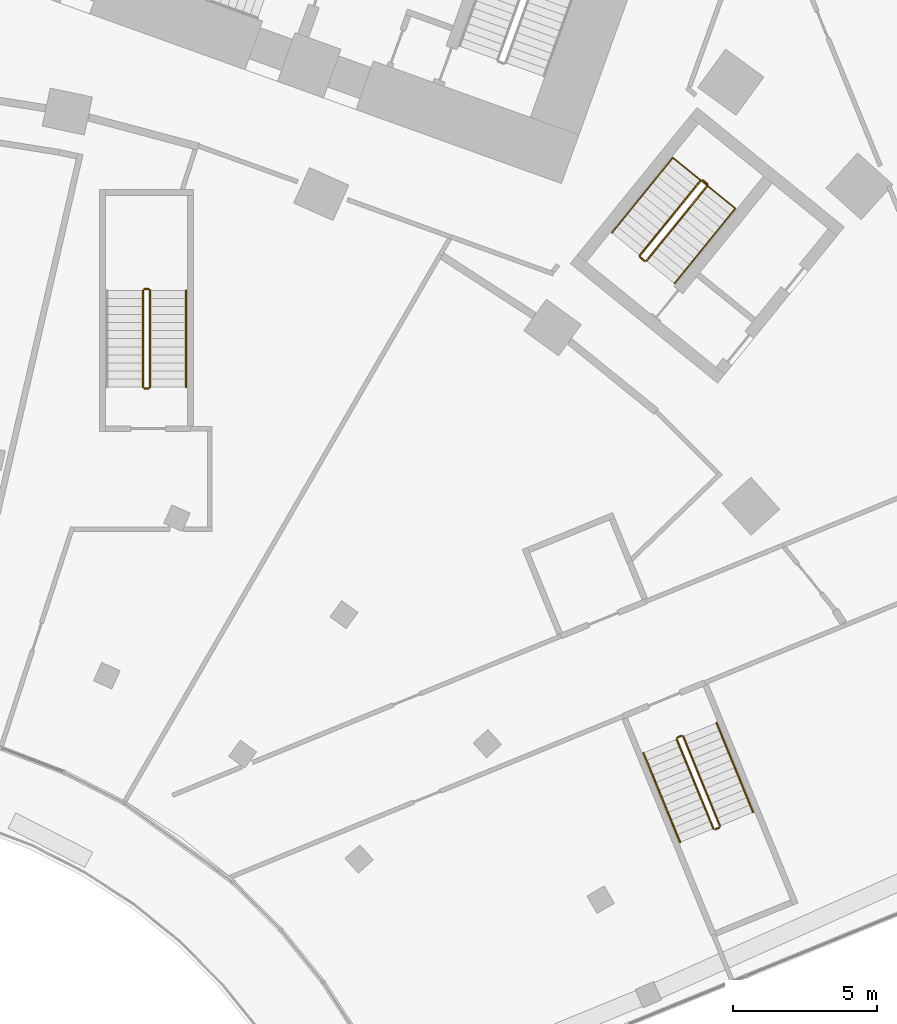
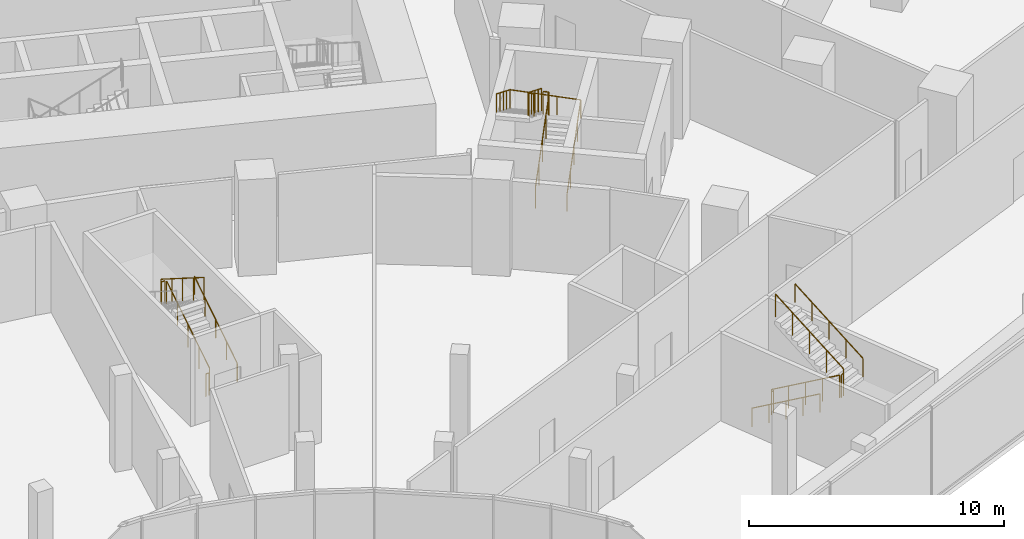
# One storey, part 37 of 40: 14 railings.
"""IFC4 building model written with IfcOpenShell, lengths in metres."""

import ifcopenshell
import ifcopenshell.guid

model = None  # the IFC model being written
_history = None  # IfcOwnerHistory: only IFC2X3 demands one
_inside = {}  # id of a spatial element -> (the spatial element, [elements in it])
_under = {}  # id of a project, library or spatial element -> (it, [spatial elements below it])
_declared = {}  # id of a project -> (the project, [libraries it declares])
_typed = {}  # id of a type object -> (the type object, [elements of that type])
_made_of = {}  # id of a material, layer set ... -> (it, [elements and type objects made of it])


def new_model(schema):
    """Start an empty IFC model of exactly this schema.

    Asked for "IFC4X3", IfcOpenShell would pick the latest addendum, in which some entities
    have other attributes; the version numbers below select the first issue.
    IFC2X3 requires an IfcOwnerHistory on every rooted entity: one is made here for all.
    """
    global model, _history
    if schema == "IFC4X3":
        model = ifcopenshell.file(schema_version=(4, 3, 0, 0))
    else:
        model = ifcopenshell.file(schema=schema)
    _inside.clear()
    _under.clear()
    _declared.clear()
    _typed.clear()
    _made_of.clear()
    _history = None
    if model.schema == "IFC2X3":
        org = make("IfcOrganization", Name="unknown")
        user = make(
            "IfcPersonAndOrganization",
            ThePerson=make("IfcPerson", FamilyName="unknown"),
            TheOrganization=org,
        )
        app = make(
            "IfcApplication",
            ApplicationDeveloper=org,
            Version="unknown",
            ApplicationFullName="unknown",
            ApplicationIdentifier="unknown",
        )
        _history = make(
            "IfcOwnerHistory",
            OwningUser=user,
            OwningApplication=app,
            ChangeAction="ADDED",
            CreationDate=0,
        )
    return model


def make(cls, **values):
    """One entity of the class cls with the attributes given. An attribute that is None is left unset."""
    return model.create_entity(
        cls, **{name: value for name, value in values.items() if value is not None}
    )


def rooted(cls, **values):
    """An entity with a GlobalId (a new one), such as an element, a storey or a relation."""
    return make(cls, GlobalId=ifcopenshell.guid.new(), OwnerHistory=_history, **values)


def si_unit(unit_type, name, prefix=None):
    """IfcSIUnit, for example si_unit("LENGTHUNIT", "METRE", prefix="MILLI")."""
    return make("IfcSIUnit", UnitType=unit_type, Prefix=prefix, Name=name)


def assignment(units):
    """IfcUnitAssignment: the units of a project."""
    return None if units is None else make("IfcUnitAssignment", Units=units)


def point(xyz):
    """IfcCartesianPoint."""
    return None if xyz is None else make("IfcCartesianPoint", Coordinates=xyz)


def direction(xyz):
    """IfcDirection."""
    return None if xyz is None else make("IfcDirection", DirectionRatios=xyz)


def frame(location, z_axis=None, x_axis=None):
    """IfcAxis2Placement3D, a coordinate frame: its origin and axes. An axis left out is left unset."""
    return make(
        "IfcAxis2Placement3D",
        Location=point(location),
        Axis=direction(z_axis),
        RefDirection=direction(x_axis),
    )


def frame_2d(location, x_axis=None):
    """IfcAxis2Placement2D, a coordinate frame in the plane: its origin and x axis."""
    return make(
        "IfcAxis2Placement2D", Location=point(location), RefDirection=direction(x_axis)
    )


def origin():
    """The frame at (0, 0, 0) with its axes left unset."""
    return frame((0.0, 0.0, 0.0))


def origin_2d():
    """The frame at (0, 0) in the plane with its x axis left unset."""
    return frame_2d((0.0, 0.0))


def place(relative_to, where):
    """IfcLocalPlacement: puts the frame where relative to a parent placement (None: the world)."""
    return make(
        "IfcLocalPlacement", PlacementRelTo=relative_to, RelativePlacement=where
    )


def context(
    kind, dimensions, precision=None, world=None, true_north=None, identifier=None
):
    """IfcGeometricRepresentationContext, for example the 3D "Model" context."""
    return make(
        "IfcGeometricRepresentationContext",
        ContextIdentifier=identifier,
        ContextType=kind,
        CoordinateSpaceDimension=dimensions,
        Precision=precision,
        WorldCoordinateSystem=world,
        TrueNorth=true_north,
    )


def subcontext(parent, identifier, kind, view, scale=None):
    """IfcGeometricRepresentationSubContext, for example "Body" below "Model"."""
    return make(
        "IfcGeometricRepresentationSubContext",
        ContextIdentifier=identifier,
        ContextType=kind,
        ParentContext=parent,
        TargetScale=scale,
        TargetView=view,
    )


def project(units=None, contexts=None):
    """IfcProject with its units and contexts."""
    return rooted(
        "IfcProject",
        Name="project",
        RepresentationContexts=contexts,
        UnitsInContext=assignment(units),
    )


def spatial(cls, under=None, at=None, **own):
    """A site, building, storey or space (cls), placed at a placement, below another one or the project."""
    s = rooted(cls, ObjectPlacement=at, **own)
    if under is not None:
        _under.setdefault(under.id(), (under, []))[1].append(s)
    return s


def profile(cls, at=None, kind="AREA", **sizes):
    """A parametric profile (cls). Its sizes go by their IFC names, for example OverallWidth=200.0."""
    return make(cls, ProfileType=kind, Position=at, **sizes)


def circle(**sizes):
    """IfcCircleProfileDef."""
    return profile("IfcCircleProfileDef", **sizes)


def extrude(swept, where, along, depth):
    """IfcExtrudedAreaSolid: the profile swept, set in the frame where, extruded along a direction by depth."""
    return make(
        "IfcExtrudedAreaSolid",
        SweptArea=swept,
        Position=where,
        ExtrudedDirection=direction(along),
        Depth=depth,
    )


def shape(context_of_items, identifier, shape_type, items):
    """IfcShapeRepresentation: the items that make up one representation, for example the "Body"."""
    return make(
        "IfcShapeRepresentation",
        ContextOfItems=context_of_items,
        RepresentationIdentifier=identifier,
        RepresentationType=shape_type,
        Items=items,
    )


def material(Name=None, Category=None):
    """IfcMaterial."""
    return make("IfcMaterial", Name=Name, Category=Category)


def made_of(thing, what):
    """Note that an element or type object is made of a material, layer set ...; save() writes the relation."""
    if what is not None:
        _made_of.setdefault(what.id(), (what, []))[1].append(thing)
    return thing


def type_object(cls, material=None, **own):
    """A type object (cls), such as IfcWallType, which elements share."""
    return made_of(rooted(cls, **own), material)


def element(
    cls,
    number,
    at=None,
    inside=None,
    cuts=None,
    type_object=None,
    material=None,
    context=None,
    identifier="Body",
    shape_type=None,
    held_by="IfcProductDefinitionShape",
    body=None,
    shapes=None,
    **own,
):
    """One element of the class cls, such as IfcWall. Its Tag is "e" and its number.

    at: its placement. inside: the storey or other place that contains it. cuts: it is an
    opening in that element (IfcRelVoidsElement). A single representation is given by context,
    identifier, shape_type and body (its items); several are given by shapes. held_by: the class
    of the entity that holds the representations. save() writes the other relations.
    """
    e = rooted(cls, Tag="e%d" % number, ObjectPlacement=at, **own)
    if body is not None:
        shapes = [shape(context, identifier, shape_type, body)]
    if shapes is not None:
        e.Representation = make(held_by, Representations=shapes)
    if inside is not None:
        _inside.setdefault(inside.id(), (inside, []))[1].append(e)
    if cuts is not None:
        rooted(
            "IfcRelVoidsElement", RelatingBuildingElement=cuts, RelatedOpeningElement=e
        )
    if type_object is not None:
        _typed.setdefault(type_object.id(), (type_object, []))[1].append(e)
    return made_of(e, material)


def aggregate(whole, parts):
    """IfcRelAggregates: a whole, such as a stair, and the parts it consists of."""
    return rooted("IfcRelAggregates", RelatingObject=whole, RelatedObjects=parts)


def save(model, path):
    """Write the relations noted so far, then the file.

    IfcRelAggregates (storeys below a building ...), IfcRelContainedInSpatialStructure (elements
    in a storey), IfcRelDefinesByType, IfcRelAssociatesMaterial and IfcRelDeclares: one each for
    every whole, place, type object, material and project.
    """
    for whole, parts in _under.values():
        aggregate(whole, parts)
    for where, things in _inside.values():
        rooted(
            "IfcRelContainedInSpatialStructure",
            RelatedElements=things,
            RelatingStructure=where,
        )
    for kind, things in _typed.values():
        rooted("IfcRelDefinesByType", RelatedObjects=things, RelatingType=kind)
    for what, things in _made_of.values():
        rooted("IfcRelAssociatesMaterial", RelatedObjects=things, RelatingMaterial=what)
    for by, libraries in _declared.values():
        rooted("IfcRelDeclares", RelatingContext=by, RelatedDefinitions=libraries)
    model.write(path)


model = new_model("IFC4")

# Units and contexts
model_context = context("Model", 3, precision=1e-05, world=origin(), true_north=direction((0.0, 1.0)))
body_context = subcontext(model_context, "Body", "Model", "MODEL_VIEW")
ifc_project = project(units=[si_unit("LENGTHUNIT", "METRE"), si_unit("AREAUNIT", "SQUARE_METRE"), si_unit("VOLUMEUNIT", "CUBIC_METRE"), si_unit("PLANEANGLEUNIT", "RADIAN"), si_unit("MASSUNIT", "GRAM", prefix="KILO")], contexts=[model_context])

# Site, building, storey
site_placement = place(None, origin())
site = spatial("IfcSite", under=ifc_project, at=site_placement, CompositionType="ELEMENT")
building_placement = place(site_placement, origin())
building = spatial("IfcBuilding", under=site, at=building_placement, Name="Stone Belt Terrace Tower", CompositionType="ELEMENT")
storey_placement = place(building_placement, frame((0.0, 0.0, 11.60009765625)))
storey = spatial("IfcBuildingStorey", under=building, at=storey_placement, Name="L02", CompositionType="ELEMENT", Elevation=11.60009765625)

# Railings
ifc_material_1 = material(Name="Steel balustrade", Category="steel")
railing_type_1 = type_object("IfcRailingType", Name="Podium stair guard", PredefinedType="GUARDRAIL", material=ifc_material_1)
railing_1_placement = place(storey_placement, frame((30.445556640625, 21.63232421875, 0.1767578125)))
element("IfcRailing", 1, at=railing_1_placement, inside=storey, type_object=railing_type_1, Name="L02 PS3 stair guard 1", PredefinedType="GUARDRAIL", context=body_context, shape_type="SweptSolid", body=[
    extrude(circle(Radius=0.02392578125, at=origin_2d()), frame((0.0, 0.0, 1.076171875), z_axis=(0.320577273413, -0.782247859152, 0.534152130599), x_axis=(0.92531182595, 0.379207100089, 0.0)), (0.0, 0.0, 1.0), 3.974609375),
    extrude(circle(Radius=0.02099609375, at=origin_2d()), origin(), (0.0, 0.0, 1.0), 1.052001953125),
    extrude(circle(Radius=0.02099609375, at=origin_2d()), frame((0.318603515625, -0.77734375, 0.53076171875)), (0.0, 0.0, 1.0), 1.052001953125),
    extrude(circle(Radius=0.02099609375, at=origin_2d()), frame((0.63720703125, -1.5546875, 1.0615234375)), (0.0, 0.0, 1.0), 1.052001953125),
    extrude(circle(Radius=0.02099609375, at=origin_2d()), frame((0.95556640625, -2.331787109375, 1.59228515625)), (0.0, 0.0, 1.0), 1.052001953125),
    extrude(circle(Radius=0.02099609375, at=origin_2d()), frame((1.274169921875, -3.109130859375, 2.123046875)), (0.0, 0.0, 1.0), 1.052001953125),
])
railing_2_placement = place(storey_placement, frame((31.784912109375, 18.495849609375, 2.2998046875)))
element("IfcRailing", 2, at=railing_2_placement, inside=storey, type_object=railing_type_1, Name="L02 PS3 stair guard 2", PredefinedType="GUARDRAIL", context=body_context, shape_type="SweptSolid", body=[
    extrude(circle(Radius=0.02392578125, at=origin_2d()), frame((0.0, 0.0, 1.076171875), z_axis=(0.925417366351, 0.378949466362, 0.0), x_axis=(-0.378949466362, 0.925417366351, 0.0)), (0.0, 0.0, 1.0), 0.150146484375),
    extrude(circle(Radius=0.02099609375, at=origin_2d()), origin(), (0.0, 0.0, 1.0), 1.052001953125),
    extrude(circle(Radius=0.02099609375, at=origin_2d()), frame((0.138916015625, 0.056884765625, 0.0)), (0.0, 0.0, 1.0), 1.052001953125),
])
railing_3_placement = place(storey_placement, frame((31.951171875, 18.6181640625, 2.476806640625)))
element("IfcRailing", 3, at=railing_3_placement, inside=storey, type_object=railing_type_1, Name="L02 PS3 stair guard 3", PredefinedType="GUARDRAIL", context=body_context, shape_type="SweptSolid", body=[
    extrude(circle(Radius=0.02392578125, at=origin_2d()), frame((0.0, 0.0, 1.076171875), z_axis=(-0.320647790343, 0.782208613453, 0.534167276785), x_axis=(-0.925275877227, -0.379294807533, 0.0)), (0.0, 0.0, 1.0), 3.974609375),
    extrude(circle(Radius=0.02099609375, at=origin_2d()), origin(), (0.0, 0.0, 1.0), 1.052001953125),
    extrude(circle(Radius=0.02099609375, at=origin_2d()), frame((-0.318603515625, 0.77734375, 0.53076171875)), (0.0, 0.0, 1.0), 1.052001953125),
    extrude(circle(Radius=0.02099609375, at=origin_2d()), frame((-0.63720703125, 1.554443359375, 1.0615234375)), (0.0, 0.0, 1.0), 1.052001953125),
    extrude(circle(Radius=0.02099609375, at=origin_2d()), frame((-0.955810546875, 2.33154296875, 1.59228515625)), (0.0, 0.0, 1.0), 1.052001953125),
    extrude(circle(Radius=0.02099609375, at=origin_2d()), frame((-1.2744140625, 3.10888671875, 2.123046875)), (0.0, 0.0, 1.0), 1.052001953125),
])
railing_4_placement = place(storey_placement, frame((30.472900390625, 21.697509765625, 0.0)))
element("IfcRailing", 4, at=railing_4_placement, inside=storey, type_object=railing_type_1, Name="L02 PS3 stair guard 4", PredefinedType="GUARDRAIL", context=body_context, shape_type="SweptSolid", body=[
    extrude(circle(Radius=0.02392578125, at=origin_2d()), frame((0.0, 0.0, 1.076171875), z_axis=(0.925183283695, 0.379520607572, 0.0), x_axis=(-0.379520607572, 0.925183283695, 0.0)), (0.0, 0.0, 1.0), 0.14990234375),
    extrude(circle(Radius=0.02099609375, at=origin_2d()), origin(), (0.0, 0.0, 1.0), 1.052001953125),
    extrude(circle(Radius=0.02099609375, at=origin_2d()), frame((0.138671875, 0.056884765625, 0.0)), (0.0, 0.0, 1.0), 1.052001953125),
])
railing_5_placement = place(storey_placement, frame((12.125, 33.889892578125, 0.1767578125)))
element("IfcRailing", 5, at=railing_5_placement, inside=storey, type_object=railing_type_1, Name="L02 PS6 stair guard 1", PredefinedType="GUARDRAIL", context=body_context, shape_type="SweptSolid", body=[
    extrude(circle(Radius=0.02392578125, at=origin_2d()), frame((0.0, 0.0, 1.076171875), z_axis=(0.0, 0.845389635667, 0.534150132366), x_axis=(-1.0, 0.0, 0.0)), (0.0, 0.0, 1.0), 3.974609375),
    extrude(circle(Radius=0.02099609375, at=origin_2d()), origin(), (0.0, 0.0, 1.0), 1.052001953125),
    extrude(circle(Radius=0.02099609375, at=origin_2d()), frame((0.0, 0.840087890625, 0.53076171875)), (0.0, 0.0, 1.0), 1.052001953125),
    extrude(circle(Radius=0.02099609375, at=origin_2d()), frame((0.0, 1.68017578125, 1.0615234375)), (0.0, 0.0, 1.0), 1.052001953125),
    extrude(circle(Radius=0.02099609375, at=origin_2d()), frame((0.0, 2.52001953125, 1.59228515625)), (0.0, 0.0, 1.0), 1.052001953125),
    extrude(circle(Radius=0.02099609375, at=origin_2d()), frame((0.0, 3.360107421875, 2.123046875)), (0.0, 0.0, 1.0), 1.052001953125),
])
railing_6_placement = place(storey_placement, frame((12.074951171875, 37.300048828125, 2.2998046875)))
element("IfcRailing", 6, at=railing_6_placement, inside=storey, type_object=railing_type_1, Name="L02 PS6 stair guard 2", PredefinedType="GUARDRAIL", context=body_context, shape_type="SweptSolid", body=[
    extrude(circle(Radius=0.02392578125, at=origin_2d()), frame((0.0, 0.0, 1.076171875), z_axis=(-1.0, 0.0, 0.0), x_axis=(0.0, -1.0, 0.0)), (0.0, 0.0, 1.0), 0.14990234375),
    extrude(circle(Radius=0.02099609375, at=origin_2d()), origin(), (0.0, 0.0, 1.0), 1.052001953125),
    extrude(circle(Radius=0.02099609375, at=origin_2d()), frame((-0.14990234375, 0.0, 0.0)), (0.0, 0.0, 1.0), 1.052001953125),
])
railing_7_placement = place(storey_placement, frame((11.875, 37.25, 2.476806640625)))
element("IfcRailing", 7, at=railing_7_placement, inside=storey, type_object=railing_type_1, Name="L02 PS6 stair guard 3", PredefinedType="GUARDRAIL", context=body_context, shape_type="SweptSolid", body=[
    extrude(circle(Radius=0.02392578125, at=origin_2d()), frame((0.0, 0.0, 1.076171875), z_axis=(0.0, -0.845389635667, 0.534150132366), x_axis=(1.0, 0.0, 0.0)), (0.0, 0.0, 1.0), 3.974609375),
    extrude(circle(Radius=0.02099609375, at=origin_2d()), origin(), (0.0, 0.0, 1.0), 1.052001953125),
    extrude(circle(Radius=0.02099609375, at=origin_2d()), frame((0.0, -0.840087890625, 0.53076171875)), (0.0, 0.0, 1.0), 1.052001953125),
    extrude(circle(Radius=0.02099609375, at=origin_2d()), frame((0.0, -1.68017578125, 1.0615234375)), (0.0, 0.0, 1.0), 1.052001953125),
    extrude(circle(Radius=0.02099609375, at=origin_2d()), frame((0.0, -2.52001953125, 1.59228515625)), (0.0, 0.0, 1.0), 1.052001953125),
    extrude(circle(Radius=0.02099609375, at=origin_2d()), frame((0.0, -3.360107421875, 2.123046875)), (0.0, 0.0, 1.0), 1.052001953125),
])
railing_8_placement = place(storey_placement, frame((12.074951171875, 33.840087890625, 0.0)))
element("IfcRailing", 8, at=railing_8_placement, inside=storey, type_object=railing_type_1, Name="L02 PS6 stair guard 4", PredefinedType="GUARDRAIL", context=body_context, shape_type="SweptSolid", body=[
    extrude(circle(Radius=0.02392578125, at=origin_2d()), frame((0.0, 0.0, 1.076171875), z_axis=(-1.0, 0.0, 0.0), x_axis=(0.0, -1.0, 0.0)), (0.0, 0.0, 1.0), 0.14990234375),
    extrude(circle(Radius=0.02099609375, at=origin_2d()), origin(), (0.0, 0.0, 1.0), 1.052001953125),
    extrude(circle(Radius=0.02099609375, at=origin_2d()), frame((-0.14990234375, 0.0, 0.0)), (0.0, 0.0, 1.0), 1.052001953125),
])
ifc_material_2 = material(Name="Stainless steel handrail", Category="steel")
railing_type_2 = type_object("IfcRailingType", Name="Podium stair handrail", PredefinedType="HANDRAIL", material=ifc_material_2)
railing_9_placement = place(storey_placement, frame((29.288818359375, 21.158203125, 0.1767578125)))
element("IfcRailing", 9, at=railing_9_placement, inside=storey, type_object=railing_type_2, Name="L02 PS3 stair handrail 1", PredefinedType="HANDRAIL", context=body_context, shape_type="SweptSolid", body=[
    extrude(circle(Radius=0.02392578125, at=origin_2d()), frame((0.0, 0.0, 0.8759765625), z_axis=(0.320632384185, -0.78223245452, 0.534141611661), x_axis=(0.925286329636, 0.379269308261, 0.0)), (0.0, 0.0, 1.0), 3.974609375),
    extrude(circle(Radius=0.02099609375, at=origin_2d()), origin(), (0.0, 0.0, 1.0), 0.851806640625),
    extrude(circle(Radius=0.02099609375, at=origin_2d()), frame((0.318603515625, -0.77734375, 0.53076171875)), (0.0, 0.0, 1.0), 0.851806640625),
    extrude(circle(Radius=0.02099609375, at=origin_2d()), frame((0.63720703125, -1.5546875, 1.0615234375)), (0.0, 0.0, 1.0), 0.851806640625),
    extrude(circle(Radius=0.02099609375, at=origin_2d()), frame((0.955810546875, -2.331787109375, 1.59228515625)), (0.0, 0.0, 1.0), 0.851806640625),
    extrude(circle(Radius=0.02099609375, at=origin_2d()), frame((1.2744140625, -3.109130859375, 2.123046875)), (0.0, 0.0, 1.0), 0.851806640625),
])
railing_10_placement = place(storey_placement, frame((33.107666015625, 19.092041015625, 2.476806640625)))
element("IfcRailing", 10, at=railing_10_placement, inside=storey, type_object=railing_type_2, Name="L02 PS3 stair handrail 2", PredefinedType="HANDRAIL", context=body_context, shape_type="SweptSolid", body=[
    extrude(circle(Radius=0.02392578125, at=origin_2d()), frame((0.0, 0.0, 0.8759765625), z_axis=(-0.320577273413, 0.782247859152, 0.534152130599), x_axis=(-0.92531182595, -0.379207100089, 0.0)), (0.0, 0.0, 1.0), 3.974609375),
    extrude(circle(Radius=0.02099609375, at=origin_2d()), origin(), (0.0, 0.0, 1.0), 0.851806640625),
    extrude(circle(Radius=0.02099609375, at=origin_2d()), frame((-0.318603515625, 0.77734375, 0.53076171875)), (0.0, 0.0, 1.0), 0.851806640625),
    extrude(circle(Radius=0.02099609375, at=origin_2d()), frame((-0.63720703125, 1.5546875, 1.0615234375)), (0.0, 0.0, 1.0), 0.851806640625),
    extrude(circle(Radius=0.02099609375, at=origin_2d()), frame((-0.95556640625, 2.331787109375, 1.59228515625)), (0.0, 0.0, 1.0), 0.851806640625),
    extrude(circle(Radius=0.02099609375, at=origin_2d()), frame((-1.274169921875, 3.109130859375, 2.123046875)), (0.0, 0.0, 1.0), 0.851806640625),
])
railing_11_placement = place(storey_placement, frame((13.375, 33.889892578125, 0.1767578125)))
element("IfcRailing", 11, at=railing_11_placement, inside=storey, type_object=railing_type_2, Name="L02 PS6 stair handrail 1", PredefinedType="HANDRAIL", context=body_context, shape_type="SweptSolid", body=[
    extrude(circle(Radius=0.02392578125, at=origin_2d()), frame((0.0, 0.0, 0.8759765625), z_axis=(0.0, 0.845389635667, 0.534150132366), x_axis=(-1.0, 0.0, 0.0)), (0.0, 0.0, 1.0), 3.974609375),
    extrude(circle(Radius=0.02099609375, at=origin_2d()), origin(), (0.0, 0.0, 1.0), 0.851806640625),
    extrude(circle(Radius=0.02099609375, at=origin_2d()), frame((0.0, 0.840087890625, 0.53076171875)), (0.0, 0.0, 1.0), 0.851806640625),
    extrude(circle(Radius=0.02099609375, at=origin_2d()), frame((0.0, 1.68017578125, 1.0615234375)), (0.0, 0.0, 1.0), 0.851806640625),
    extrude(circle(Radius=0.02099609375, at=origin_2d()), frame((0.0, 2.52001953125, 1.59228515625)), (0.0, 0.0, 1.0), 0.851806640625),
    extrude(circle(Radius=0.02099609375, at=origin_2d()), frame((0.0, 3.360107421875, 2.123046875)), (0.0, 0.0, 1.0), 0.851806640625),
])
ifc_material_3 = material(Name="Structural steel C345", Category="steel")
railing_type_3 = type_object("IfcRailingType", Name="Stair guard 1100", PredefinedType="GUARDRAIL", material=ifc_material_3)
railing_12_placement = place(storey_placement, frame((29.39794921875, 38.281982421875, 0.1767578125)))
element("IfcRailing", 12, at=railing_12_placement, inside=storey, type_object=railing_type_3, Name="L02 ST3B stair guard 1", PredefinedType="GUARDRAIL", context=body_context, shape_type="SweptSolid", body=[
    extrude(circle(Radius=0.02392578125, at=origin_2d()), frame((0.0, 0.0, 1.076171875), z_axis=(0.532811519988, 0.656339761479, 0.534162898065), x_axis=(-0.776382860746, 0.63026157549, 0.0)), (0.0, 0.0, 1.0), 3.974609375),
    extrude(circle(Radius=0.02392578125, at=origin_2d()), frame((2.11767578125, 2.608642578125, 3.19921875), z_axis=(-0.103606084259, 0.994618408891, 0.0), x_axis=(-0.994618408891, -0.103606084259, 0.0)), (0.0, 0.0, 1.0), 0.07080078125),
    extrude(circle(Radius=0.02392578125, at=origin_2d()), frame((2.1103515625, 2.678955078125, 3.19921875), z_axis=(-0.775964699182, 0.630776335656, 0.0), x_axis=(-0.630776335656, -0.775964699182, 0.0)), (0.0, 0.0, 1.0), 0.2001953125),
    extrude(circle(Radius=0.02099609375, at=origin_2d()), origin(), (0.0, 0.0, 1.0), 1.052001953125),
    extrude(circle(Radius=0.02099609375, at=origin_2d()), frame((0.529296875, 0.652099609375, 0.53076171875)), (0.0, 0.0, 1.0), 1.052001953125),
    extrude(circle(Radius=0.02099609375, at=origin_2d()), frame((1.058837890625, 1.30419921875, 1.0615234375)), (0.0, 0.0, 1.0), 1.052001953125),
    extrude(circle(Radius=0.02099609375, at=origin_2d()), frame((1.58837890625, 1.95654296875, 1.59228515625)), (0.0, 0.0, 1.0), 1.052001953125),
    extrude(circle(Radius=0.02099609375, at=origin_2d()), frame((2.11767578125, 2.608642578125, 2.123046875)), (0.0, 0.0, 1.0), 1.052001953125),
    extrude(circle(Radius=0.02099609375, at=origin_2d()), frame((2.1103515625, 2.678955078125, 2.123046875)), (0.0, 0.0, 1.0), 1.052001953125),
    extrude(circle(Radius=0.02099609375, at=origin_2d()), frame((1.955078125, 2.80517578125, 2.123046875)), (0.0, 0.0, 1.0), 1.052001953125),
])
railing_13_placement = place(storey_placement, frame((31.28271484375, 41.079833984375, 2.476806640625)))
element("IfcRailing", 13, at=railing_13_placement, inside=storey, type_object=railing_type_3, Name="L02 ST3B stair guard 2", PredefinedType="GUARDRAIL", context=body_context, shape_type="SweptSolid", body=[
    extrude(circle(Radius=0.02392578125, at=origin_2d()), frame((0.0, 0.0, 1.076171875), z_axis=(-0.532790039182, -0.656374724314, 0.534141362777), x_axis=(0.776411721411, -0.63022602204, 0.0)), (0.0, 0.0, 1.0), 3.974609375),
    extrude(circle(Radius=0.02392578125, at=origin_2d()), frame((-2.11767578125, -2.60888671875, 3.19921875), z_axis=(0.103606084259, -0.994618408891, 0.0), x_axis=(0.994618408891, 0.103606084259, 0.0)), (0.0, 0.0, 1.0), 0.07080078125),
    extrude(circle(Radius=0.02392578125, at=origin_2d()), frame((-2.1103515625, -2.67919921875, 3.19921875), z_axis=(0.776561986372, -0.630040856868, 0.0), x_axis=(0.630040856868, 0.776561986372, 0.0)), (0.0, 0.0, 1.0), 0.199951171875),
    extrude(circle(Radius=0.02099609375, at=origin_2d()), origin(), (0.0, 0.0, 1.0), 1.052001953125),
    extrude(circle(Radius=0.02099609375, at=origin_2d()), frame((-0.529296875, -0.65234375, 0.53076171875)), (0.0, 0.0, 1.0), 1.052001953125),
    extrude(circle(Radius=0.02099609375, at=origin_2d()), frame((-1.058837890625, -1.304443359375, 1.0615234375)), (0.0, 0.0, 1.0), 1.052001953125),
    extrude(circle(Radius=0.02099609375, at=origin_2d()), frame((-1.58837890625, -1.95654296875, 1.59228515625)), (0.0, 0.0, 1.0), 1.052001953125),
    extrude(circle(Radius=0.02099609375, at=origin_2d()), frame((-2.11767578125, -2.60888671875, 2.123046875)), (0.0, 0.0, 1.0), 1.052001953125),
    extrude(circle(Radius=0.02099609375, at=origin_2d()), frame((-2.1103515625, -2.67919921875, 2.123046875)), (0.0, 0.0, 1.0), 1.052001953125),
    extrude(circle(Radius=0.02099609375, at=origin_2d()), frame((-1.955078125, -2.80517578125, 2.123046875)), (0.0, 0.0, 1.0), 1.052001953125),
])
railing_type_4 = type_object("IfcRailingType", Name="Stair handrail 900", PredefinedType="HANDRAIL", material=ifc_material_3)
railing_14_placement = place(storey_placement, frame((30.36865234375, 37.494140625, 0.1767578125)))
element("IfcRailing", 14, at=railing_14_placement, inside=storey, type_object=railing_type_4, Name="L02 ST3B stair handrail 1", PredefinedType="HANDRAIL", context=body_context, shape_type="SweptSolid", body=[
    extrude(circle(Radius=0.02392578125, at=origin_2d()), frame((0.0, 0.0, 0.8759765625), z_axis=(0.532746049304, 0.656396204642, 0.534158842932), x_axis=(-0.776447273909, 0.630182220345, 0.0)), (0.0, 0.0, 1.0), 3.974609375),
    extrude(circle(Radius=0.02392578125, at=origin_2d()), frame((2.117431640625, 2.60888671875, 2.9990234375), z_axis=(-0.774921747316, 0.628900557873, 0.063090204021), x_axis=(-0.630155936441, -0.776468605784, 0.0)), (0.0, 0.0, 1.0), 2.805419921875),
    extrude(circle(Radius=0.02392578125, at=origin_2d()), frame((-0.056640625, 4.373291015625, 3.17578125), z_axis=(-0.532767529742, -0.656361242395, 0.534180380334), x_axis=(0.776418415934, -0.630217774581, 0.0)), (0.0, 0.0, 1.0), 3.974365234375),
    extrude(circle(Radius=0.02099609375, at=origin_2d()), origin(), (0.0, 0.0, 1.0), 0.851806640625),
    extrude(circle(Radius=0.02099609375, at=origin_2d()), frame((0.529296875, 0.65234375, 0.53076171875)), (0.0, 0.0, 1.0), 0.851806640625),
    extrude(circle(Radius=0.02099609375, at=origin_2d()), frame((1.05859375, 1.304443359375, 1.0615234375)), (0.0, 0.0, 1.0), 0.851806640625),
    extrude(circle(Radius=0.02099609375, at=origin_2d()), frame((1.588134765625, 1.95654296875, 1.59228515625)), (0.0, 0.0, 1.0), 0.851806640625),
    extrude(circle(Radius=0.02099609375, at=origin_2d()), frame((2.117431640625, 2.60888671875, 2.123046875)), (0.0, 0.0, 1.0), 0.851806640625),
    extrude(circle(Radius=0.02099609375, at=origin_2d()), frame((1.392822265625, 3.197021484375, 2.18212890625)), (0.0, 0.0, 1.0), 0.851806640625),
    extrude(circle(Radius=0.02099609375, at=origin_2d()), frame((0.66796875, 3.78515625, 2.240966796875)), (0.0, 0.0, 1.0), 0.851806640625),
    extrude(circle(Radius=0.02099609375, at=origin_2d()), frame((-0.056640625, 4.373291015625, 2.300048828125)), (0.0, 0.0, 1.0), 0.851806640625),
    extrude(circle(Radius=0.02099609375, at=origin_2d()), frame((-0.5859375, 3.72119140625, 2.830810546875)), (0.0, 0.0, 1.0), 0.851806640625),
    extrude(circle(Radius=0.02099609375, at=origin_2d()), frame((-1.115234375, 3.06884765625, 3.361572265625)), (0.0, 0.0, 1.0), 0.851806640625),
    extrude(circle(Radius=0.02099609375, at=origin_2d()), frame((-1.644775390625, 2.416748046875, 3.892333984375)), (0.0, 0.0, 1.0), 0.851806640625),
    extrude(circle(Radius=0.02099609375, at=origin_2d()), frame((-2.174072265625, 1.7646484375, 4.423095703125)), (0.0, 0.0, 1.0), 0.851806640625),
])

save(model, "model.ifc")
